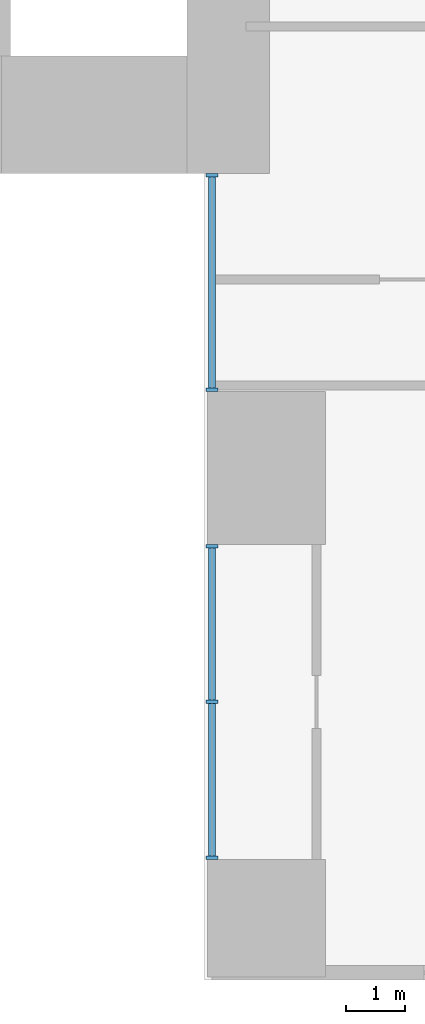
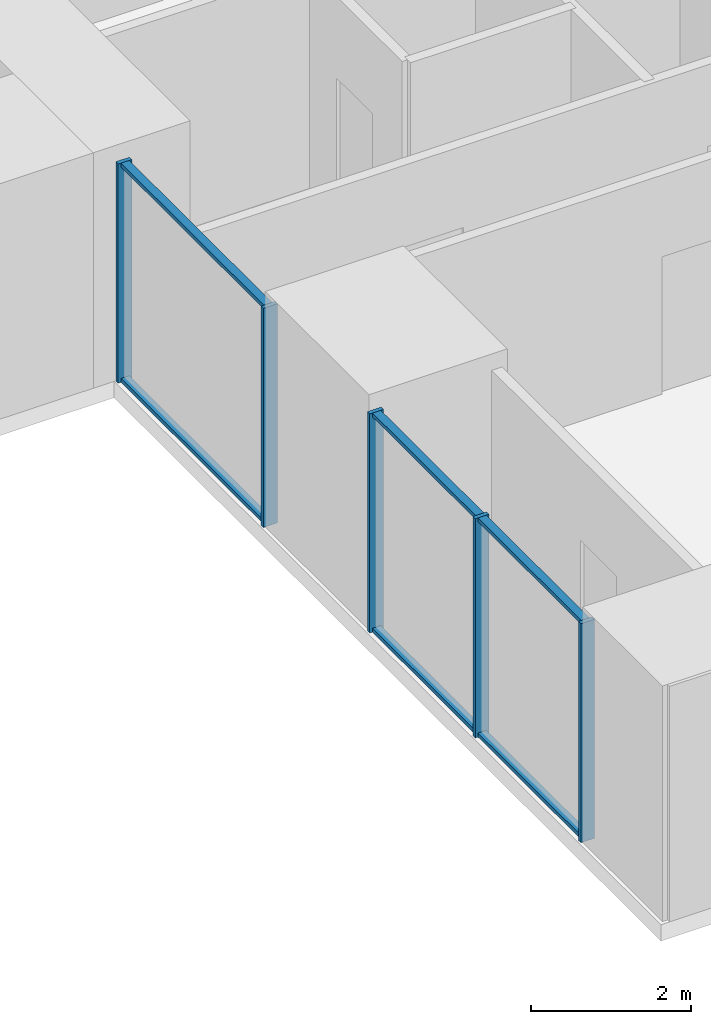
# One storey, part 3 of 20: 11 members, 2 elements without a shape of their own.
"""IFC4 building model written with IfcOpenShell, lengths in metres."""

import ifcopenshell
import ifcopenshell.guid

model = None  # the IFC model being written
_history = None  # IfcOwnerHistory: only IFC2X3 demands one
_inside = {}  # id of a spatial element -> (the spatial element, [elements in it])
_under = {}  # id of a project, library or spatial element -> (it, [spatial elements below it])
_declared = {}  # id of a project -> (the project, [libraries it declares])
_typed = {}  # id of a type object -> (the type object, [elements of that type])
_made_of = {}  # id of a material, layer set ... -> (it, [elements and type objects made of it])


def new_model(schema):
    """Start an empty IFC model of exactly this schema.

    Asked for "IFC4X3", IfcOpenShell would pick the latest addendum, in which some entities
    have other attributes; the version numbers below select the first issue.
    IFC2X3 requires an IfcOwnerHistory on every rooted entity: one is made here for all.
    """
    global model, _history
    if schema == "IFC4X3":
        model = ifcopenshell.file(schema_version=(4, 3, 0, 0))
    else:
        model = ifcopenshell.file(schema=schema)
    _inside.clear()
    _under.clear()
    _declared.clear()
    _typed.clear()
    _made_of.clear()
    _history = None
    if model.schema == "IFC2X3":
        org = make("IfcOrganization", Name="unknown")
        user = make(
            "IfcPersonAndOrganization",
            ThePerson=make("IfcPerson", FamilyName="unknown"),
            TheOrganization=org,
        )
        app = make(
            "IfcApplication",
            ApplicationDeveloper=org,
            Version="unknown",
            ApplicationFullName="unknown",
            ApplicationIdentifier="unknown",
        )
        _history = make(
            "IfcOwnerHistory",
            OwningUser=user,
            OwningApplication=app,
            ChangeAction="ADDED",
            CreationDate=0,
        )
    return model


def make(cls, **values):
    """One entity of the class cls with the attributes given. An attribute that is None is left unset."""
    return model.create_entity(
        cls, **{name: value for name, value in values.items() if value is not None}
    )


def rooted(cls, **values):
    """An entity with a GlobalId (a new one), such as an element, a storey or a relation."""
    return make(cls, GlobalId=ifcopenshell.guid.new(), OwnerHistory=_history, **values)


def si_unit(unit_type, name, prefix=None):
    """IfcSIUnit, for example si_unit("LENGTHUNIT", "METRE", prefix="MILLI")."""
    return make("IfcSIUnit", UnitType=unit_type, Prefix=prefix, Name=name)


def assignment(units):
    """IfcUnitAssignment: the units of a project."""
    return None if units is None else make("IfcUnitAssignment", Units=units)


def point(xyz):
    """IfcCartesianPoint."""
    return None if xyz is None else make("IfcCartesianPoint", Coordinates=xyz)


def direction(xyz):
    """IfcDirection."""
    return None if xyz is None else make("IfcDirection", DirectionRatios=xyz)


def frame(location, z_axis=None, x_axis=None):
    """IfcAxis2Placement3D, a coordinate frame: its origin and axes. An axis left out is left unset."""
    return make(
        "IfcAxis2Placement3D",
        Location=point(location),
        Axis=direction(z_axis),
        RefDirection=direction(x_axis),
    )


def frame_2d(location, x_axis=None):
    """IfcAxis2Placement2D, a coordinate frame in the plane: its origin and x axis."""
    return make(
        "IfcAxis2Placement2D", Location=point(location), RefDirection=direction(x_axis)
    )


def origin():
    """The frame at (0, 0, 0) with its axes left unset."""
    return frame((0.0, 0.0, 0.0))


def origin_2d():
    """The frame at (0, 0) in the plane with its x axis left unset."""
    return frame_2d((0.0, 0.0))


def place(relative_to, where):
    """IfcLocalPlacement: puts the frame where relative to a parent placement (None: the world)."""
    return make(
        "IfcLocalPlacement", PlacementRelTo=relative_to, RelativePlacement=where
    )


def context(
    kind, dimensions, precision=None, world=None, true_north=None, identifier=None
):
    """IfcGeometricRepresentationContext, for example the 3D "Model" context."""
    return make(
        "IfcGeometricRepresentationContext",
        ContextIdentifier=identifier,
        ContextType=kind,
        CoordinateSpaceDimension=dimensions,
        Precision=precision,
        WorldCoordinateSystem=world,
        TrueNorth=true_north,
    )


def subcontext(parent, identifier, kind, view, scale=None):
    """IfcGeometricRepresentationSubContext, for example "Body" below "Model"."""
    return make(
        "IfcGeometricRepresentationSubContext",
        ContextIdentifier=identifier,
        ContextType=kind,
        ParentContext=parent,
        TargetScale=scale,
        TargetView=view,
    )


def project(units=None, contexts=None):
    """IfcProject with its units and contexts."""
    return rooted(
        "IfcProject",
        Name="project",
        RepresentationContexts=contexts,
        UnitsInContext=assignment(units),
    )


def spatial(cls, under=None, at=None, **own):
    """A site, building, storey or space (cls), placed at a placement, below another one or the project."""
    s = rooted(cls, ObjectPlacement=at, **own)
    if under is not None:
        _under.setdefault(under.id(), (under, []))[1].append(s)
    return s


def profile(cls, at=None, kind="AREA", **sizes):
    """A parametric profile (cls). Its sizes go by their IFC names, for example OverallWidth=200.0."""
    return make(cls, ProfileType=kind, Position=at, **sizes)


def rectangle(**sizes):
    """IfcRectangleProfileDef."""
    return profile("IfcRectangleProfileDef", **sizes)


def extrude(swept, where, along, depth):
    """IfcExtrudedAreaSolid: the profile swept, set in the frame where, extruded along a direction by depth."""
    return make(
        "IfcExtrudedAreaSolid",
        SweptArea=swept,
        Position=where,
        ExtrudedDirection=direction(along),
        Depth=depth,
    )


def shape(context_of_items, identifier, shape_type, items):
    """IfcShapeRepresentation: the items that make up one representation, for example the "Body"."""
    return make(
        "IfcShapeRepresentation",
        ContextOfItems=context_of_items,
        RepresentationIdentifier=identifier,
        RepresentationType=shape_type,
        Items=items,
    )


def material(Name=None, Category=None):
    """IfcMaterial."""
    return make("IfcMaterial", Name=Name, Category=Category)


def layer(
    of_material, thickness, ventilated=None, Name=None, Category=None, Priority=None
):
    """IfcMaterialLayer: one layer of a wall or slab, of a material (None: an air gap)."""
    return make(
        "IfcMaterialLayer",
        Material=of_material,
        LayerThickness=thickness,
        IsVentilated=ventilated,
        Name=Name,
        Category=Category,
        Priority=Priority,
    )


def layer_set(layers, Name=None):
    """IfcMaterialLayerSet."""
    return make("IfcMaterialLayerSet", MaterialLayers=layers, LayerSetName=Name)


def material_profile(
    of_material, cross_section, Name=None, Category=None, Priority=None
):
    """IfcMaterialProfile: a cross section and its material."""
    return make(
        "IfcMaterialProfile",
        Name=Name,
        Material=of_material,
        Profile=cross_section,
        Priority=Priority,
        Category=Category,
    )


def profile_set(profiles, Name=None, composite=None):
    """IfcMaterialProfileSet."""
    return make(
        "IfcMaterialProfileSet",
        Name=Name,
        MaterialProfiles=profiles,
        CompositeProfile=composite,
    )


def made_of(thing, what):
    """Note that an element or type object is made of a material, layer set ...; save() writes the relation."""
    if what is not None:
        _made_of.setdefault(what.id(), (what, []))[1].append(thing)
    return thing


def type_object(cls, material=None, **own):
    """A type object (cls), such as IfcWallType, which elements share."""
    return made_of(rooted(cls, **own), material)


def element(
    cls,
    number,
    at=None,
    inside=None,
    cuts=None,
    type_object=None,
    material=None,
    context=None,
    identifier="Body",
    shape_type=None,
    held_by="IfcProductDefinitionShape",
    body=None,
    shapes=None,
    **own,
):
    """One element of the class cls, such as IfcWall. Its Tag is "e" and its number.

    at: its placement. inside: the storey or other place that contains it. cuts: it is an
    opening in that element (IfcRelVoidsElement). A single representation is given by context,
    identifier, shape_type and body (its items); several are given by shapes. held_by: the class
    of the entity that holds the representations. save() writes the other relations.
    """
    e = rooted(cls, Tag="e%d" % number, ObjectPlacement=at, **own)
    if body is not None:
        shapes = [shape(context, identifier, shape_type, body)]
    if shapes is not None:
        e.Representation = make(held_by, Representations=shapes)
    if inside is not None:
        _inside.setdefault(inside.id(), (inside, []))[1].append(e)
    if cuts is not None:
        rooted(
            "IfcRelVoidsElement", RelatingBuildingElement=cuts, RelatedOpeningElement=e
        )
    if type_object is not None:
        _typed.setdefault(type_object.id(), (type_object, []))[1].append(e)
    return made_of(e, material)


def aggregate(whole, parts):
    """IfcRelAggregates: a whole, such as a stair, and the parts it consists of."""
    return rooted("IfcRelAggregates", RelatingObject=whole, RelatedObjects=parts)


def save(model, path):
    """Write the relations noted so far, then the file.

    IfcRelAggregates (storeys below a building ...), IfcRelContainedInSpatialStructure (elements
    in a storey), IfcRelDefinesByType, IfcRelAssociatesMaterial and IfcRelDeclares: one each for
    every whole, place, type object, material and project.
    """
    for whole, parts in _under.values():
        aggregate(whole, parts)
    for where, things in _inside.values():
        rooted(
            "IfcRelContainedInSpatialStructure",
            RelatedElements=things,
            RelatingStructure=where,
        )
    for kind, things in _typed.values():
        rooted("IfcRelDefinesByType", RelatedObjects=things, RelatingType=kind)
    for what, things in _made_of.values():
        rooted("IfcRelAssociatesMaterial", RelatedObjects=things, RelatingMaterial=what)
    for by, libraries in _declared.values():
        rooted("IfcRelDeclares", RelatingContext=by, RelatedDefinitions=libraries)
    model.write(path)


model = new_model("IFC4")

# Units and contexts
model_context = context("Model", 3, precision=1e-05, world=origin(), true_north=direction((0.0, 1.0)))
body_context = subcontext(model_context, "Body", "Model", "MODEL_VIEW")
ifc_project = project(units=[si_unit("LENGTHUNIT", "METRE"), si_unit("AREAUNIT", "SQUARE_METRE"), si_unit("VOLUMEUNIT", "CUBIC_METRE"), si_unit("PLANEANGLEUNIT", "RADIAN"), si_unit("MASSUNIT", "GRAM", prefix="KILO")], contexts=[model_context])

# Site, building, storey
site_placement = place(None, origin())
site = spatial("IfcSite", under=ifc_project, at=site_placement, CompositionType="ELEMENT")
building_placement = place(site_placement, origin())
building = spatial("IfcBuilding", under=site, at=building_placement, Name="Cleftline Residences", CompositionType="ELEMENT")
storey_placement = place(building_placement, frame((0.0, 0.0, 203.800048828125)))
storey = spatial("IfcBuildingStorey", under=building, at=storey_placement, Name="L53", CompositionType="ELEMENT", Elevation=203.800048828125)

# Curtain wall, members
ifc_material_1 = material(Name="Aluminium framed curtain wall", Category="aluminium")
ifc_layer = layer(ifc_material_1, 0.199951171875)
ifc_layer_set = layer_set([ifc_layer], Name="CW1 CLEFT GLAZING")
curtain_wall_type = type_object("IfcCurtainWallType", Name="CW1 CLEFT GLAZING", PredefinedType="NOTDEFINED", material=ifc_layer_set)
curtain_wall_1_placement = place(storey_placement, origin())
curtain_wall_1 = element("IfcCurtainWall", 1, at=curtain_wall_1_placement, inside=storey, type_object=curtain_wall_type, Name="Curtain wall CW1", PredefinedType="NOTDEFINED")
ifc_material_2 = material(Name="Aluminium mullion", Category="aluminium")
ifc_material_profile_1 = material_profile(ifc_material_2, rectangle(XDim=0.199951171875, YDim=0.06005859375, at=origin_2d()))
ifc_profile_set_1 = profile_set([ifc_material_profile_1], Name="Aluminium mullion")
member_type_1 = type_object("IfcMemberType", Name="CW1 MULLION", PredefinedType="MULLION", material=ifc_profile_set_1)
member_1_placement = place(storey_placement, frame((41.425048828125, 12.969970703125, 0.0), z_axis=(0.0, 0.0, 1.0), x_axis=(1.0, 0.0, 0.0)))
member_1 = element("IfcMember", 2, at=member_1_placement, type_object=member_type_1, Name="CW1 mullion 1", PredefinedType="MULLION", context=body_context, shape_type="SweptSolid", body=[
    extrude(rectangle(XDim=0.199951171875, YDim=0.06005859375, at=origin_2d()), origin(), (0.0, 0.0, 1.0), 3.349853515625),
])
member_2_placement = place(storey_placement, frame((41.425048828125, 9.330078125, 0.0), z_axis=(0.0, 0.0, 1.0), x_axis=(1.0, 0.0, 0.0)))
member_2 = element("IfcMember", 3, at=member_2_placement, type_object=member_type_1, Name="CW1 mullion 2", PredefinedType="MULLION", context=body_context, shape_type="SweptSolid", body=[
    extrude(rectangle(XDim=0.199951171875, YDim=0.06005859375, at=origin_2d()), origin(), (0.0, 0.0, 1.0), 3.349853515625),
])

curtain_wall_2_placement = place(storey_placement, origin())
curtain_wall_2 = element("IfcCurtainWall", 4, at=curtain_wall_2_placement, inside=storey, type_object=curtain_wall_type, Name="Curtain wall CW1", PredefinedType="NOTDEFINED")
member_3_placement = place(storey_placement, frame((41.425048828125, 6.669921875, 0.0), z_axis=(0.0, 0.0, 1.0), x_axis=(1.0, 0.0, 0.0)))
member_3 = element("IfcMember", 5, at=member_3_placement, type_object=member_type_1, Name="CW1 mullion 1", PredefinedType="MULLION", context=body_context, shape_type="SweptSolid", body=[
    extrude(rectangle(XDim=0.199951171875, YDim=0.06005859375, at=origin_2d()), origin(), (0.0, 0.0, 1.0), 3.349853515625),
])
member_4_placement = place(storey_placement, frame((41.425048828125, 4.02490234375, 0.0), z_axis=(0.0, 0.0, 1.0), x_axis=(1.0, 0.0, 0.0)))
member_4 = element("IfcMember", 6, at=member_4_placement, type_object=member_type_1, Name="CW1 mullion 2", PredefinedType="MULLION", context=body_context, shape_type="SweptSolid", body=[
    extrude(rectangle(XDim=0.199951171875, YDim=0.06005859375, at=origin_2d()), origin(), (0.0, 0.0, 1.0), 3.349853515625),
])
member_5_placement = place(storey_placement, frame((41.425048828125, 1.3798828125, 0.0), z_axis=(0.0, 0.0, 1.0), x_axis=(1.0, 0.0, 0.0)))
member_5 = element("IfcMember", 7, at=member_5_placement, type_object=member_type_1, Name="CW1 mullion 3", PredefinedType="MULLION", context=body_context, shape_type="SweptSolid", body=[
    extrude(rectangle(XDim=0.199951171875, YDim=0.06005859375, at=origin_2d()), origin(), (0.0, 0.0, 1.0), 3.349853515625),
])

# Member
ifc_material_3 = material(Name="Aluminium transom", Category="aluminium")
ifc_material_profile_2 = material_profile(ifc_material_3, rectangle(XDim=0.1201171875, YDim=0.06005859375, at=origin_2d()))
ifc_profile_set_2 = profile_set([ifc_material_profile_2], Name="Aluminium transom")
member_type_2 = type_object("IfcMemberType", Name="CW1 TRANSOM", PredefinedType="USERDEFINED", material=ifc_profile_set_2)
member_6_placement = place(storey_placement, frame((41.425048828125, 12.93994140625, 0.030029296875), z_axis=(0.0, -1.0, 0.0), x_axis=(1.0, 0.0, 0.0)))
member_6 = element("IfcMember", 8, at=member_6_placement, type_object=member_type_2, Name="CW1 transom 1.1", ObjectType="TRANSOM", PredefinedType="USERDEFINED", context=body_context, shape_type="SweptSolid", body=[
    extrude(rectangle(XDim=0.1201171875, YDim=0.06005859375, at=origin_2d()), origin(), (0.0, 0.0, 1.0), 3.579833984375),
])

member_7_placement = place(storey_placement, frame((41.425048828125, 12.93994140625, 3.320068359375), z_axis=(0.0, -1.0, 0.0), x_axis=(1.0, 0.0, 0.0)))
member_7 = element("IfcMember", 9, at=member_7_placement, type_object=member_type_2, Name="CW1 transom 1.2", ObjectType="TRANSOM", PredefinedType="USERDEFINED", context=body_context, shape_type="SweptSolid", body=[
    extrude(rectangle(XDim=0.1201171875, YDim=0.06005859375, at=origin_2d()), origin(), (0.0, 0.0, 1.0), 3.579833984375),
])

aggregate(curtain_wall_1, [member_1, member_2, member_6, member_7])

member_8_placement = place(storey_placement, frame((41.425048828125, 6.639892578125, 0.030029296875), z_axis=(0.0, -1.0, 0.0), x_axis=(1.0, 0.0, 0.0)))
member_8 = element("IfcMember", 10, at=member_8_placement, type_object=member_type_2, Name="CW1 transom 1.1", ObjectType="TRANSOM", PredefinedType="USERDEFINED", context=body_context, shape_type="SweptSolid", body=[
    extrude(rectangle(XDim=0.1201171875, YDim=0.06005859375, at=origin_2d()), origin(), (0.0, 0.0, 1.0), 2.5849609375),
])

member_9_placement = place(storey_placement, frame((41.425048828125, 6.639892578125, 3.320068359375), z_axis=(0.0, -1.0, 0.0), x_axis=(1.0, 0.0, 0.0)))
member_9 = element("IfcMember", 11, at=member_9_placement, type_object=member_type_2, Name="CW1 transom 1.2", ObjectType="TRANSOM", PredefinedType="USERDEFINED", context=body_context, shape_type="SweptSolid", body=[
    extrude(rectangle(XDim=0.1201171875, YDim=0.06005859375, at=origin_2d()), origin(), (0.0, 0.0, 1.0), 2.5849609375),
])

member_10_placement = place(storey_placement, frame((41.425048828125, 3.9951171875, 0.030029296875), z_axis=(0.0, -1.0, 0.0), x_axis=(1.0, 0.0, 0.0)))
member_10 = element("IfcMember", 12, at=member_10_placement, type_object=member_type_2, Name="CW1 transom 2.1", ObjectType="TRANSOM", PredefinedType="USERDEFINED", context=body_context, shape_type="SweptSolid", body=[
    extrude(rectangle(XDim=0.1201171875, YDim=0.06005859375, at=origin_2d()), origin(), (0.0, 0.0, 1.0), 2.585205078125),
])

member_11_placement = place(storey_placement, frame((41.425048828125, 3.9951171875, 3.320068359375), z_axis=(0.0, -1.0, 0.0), x_axis=(1.0, 0.0, 0.0)))
member_11 = element("IfcMember", 13, at=member_11_placement, type_object=member_type_2, Name="CW1 transom 2.2", ObjectType="TRANSOM", PredefinedType="USERDEFINED", context=body_context, shape_type="SweptSolid", body=[
    extrude(rectangle(XDim=0.1201171875, YDim=0.06005859375, at=origin_2d()), origin(), (0.0, 0.0, 1.0), 2.585205078125),
])

aggregate(curtain_wall_2, [member_3, member_4, member_5, member_8, member_9, member_10, member_11])

save(model, "model.ifc")
